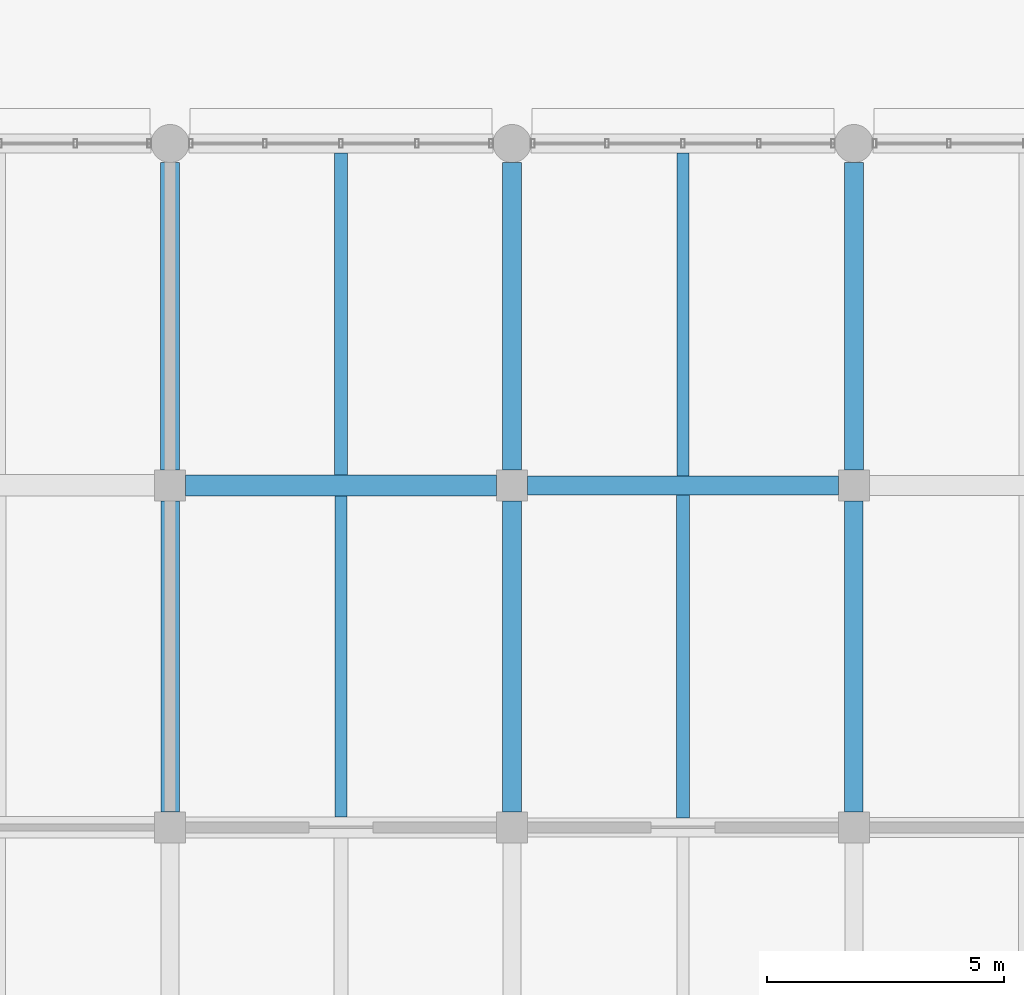
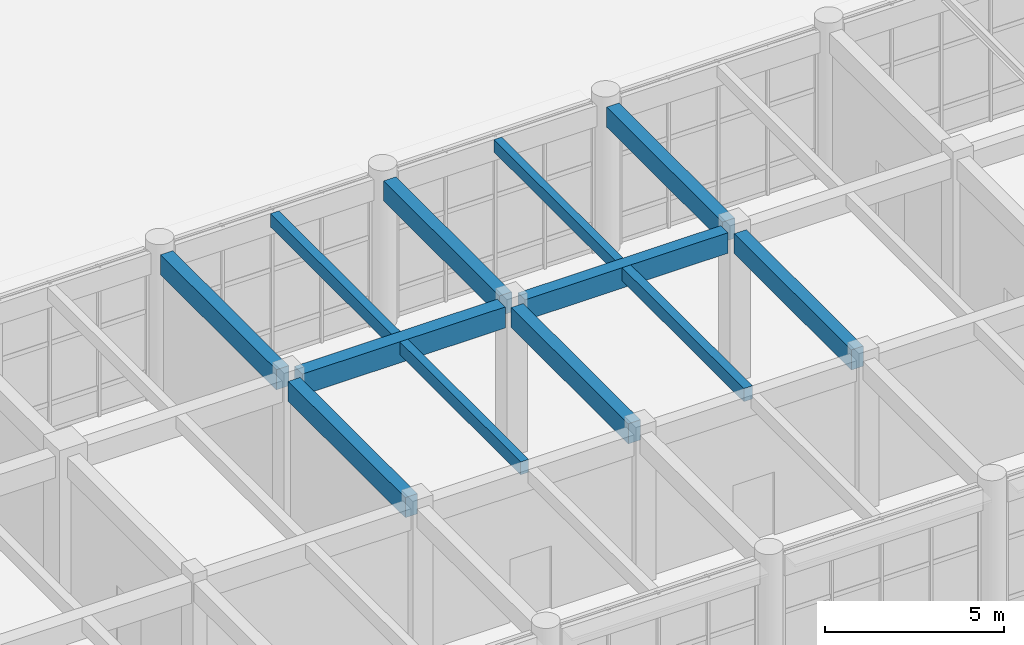
# One storey, part 49 of 160: 12 beams.
"""IFC4 building model written with IfcOpenShell, lengths in metres."""

from ifc_helpers import new_model, si_unit, direction, frame, origin, origin_2d, place, context, subcontext, project, spatial, rectangle, extrude, material, material_profile, profile_set, type_object, element, save


model = new_model("IFC4")

# Units and contexts
model_context = context("Model", 3, precision=1e-05, world=origin(), true_north=direction((0.0, 1.0)))
body_context = subcontext(model_context, "Body", "Model", "MODEL_VIEW")
ifc_project = project(units=[si_unit("LENGTHUNIT", "METRE"), si_unit("AREAUNIT", "SQUARE_METRE"), si_unit("VOLUMEUNIT", "CUBIC_METRE"), si_unit("PLANEANGLEUNIT", "RADIAN"), si_unit("MASSUNIT", "GRAM", prefix="KILO")], contexts=[model_context])

# Site, building, storey
site_placement = place(None, origin())
site = spatial("IfcSite", under=ifc_project, at=site_placement, CompositionType="ELEMENT")
building_placement = place(site_placement, origin())
building = spatial("IfcBuilding", under=site, at=building_placement, Name="Thalmaran Polytechnic", CompositionType="ELEMENT")
storey_placement = place(building_placement, origin())
storey = spatial("IfcBuildingStorey", under=building, at=storey_placement, Name="L00", CompositionType="ELEMENT", Elevation=0.0)

# Beams
ifc_material = material(Name="Concrete C40/50", Category="concrete")
ifc_material_profile_1 = material_profile(ifc_material, rectangle(XDim=0.39990234375, YDim=0.699951171875, at=origin_2d()), Name="RC 400x700")
ifc_profile_set_1 = profile_set([ifc_material_profile_1], Name="Concrete C40/50")
beam_type_1 = type_object("IfcBeamType", Name="BM-RC05", PredefinedType="BEAM", material=ifc_profile_set_1)
beam_1_placement = place(storey_placement, frame((36.324951171875, 64.800048828125, 4.739990234375), z_axis=(1.0, 0.0, 0.0), x_axis=(0.0, 1.0, 0.0)))
element("IfcBeam", 1, at=beam_1_placement, inside=storey, type_object=beam_type_1, Name="Grid Beam B05 L00 X(5,9)", PredefinedType="BEAM", context=body_context, shape_type="SweptSolid", body=[
    extrude(rectangle(XDim=0.39990234375, YDim=0.699951171875, at=origin_2d()), origin(), (0.0, 0.0, 1.0), 6.550048828125),
])
ifc_material_profile_2 = material_profile(ifc_material, rectangle(XDim=0.389892578125, YDim=0.68505859375, at=origin_2d()), Name="RC 390x685")
ifc_profile_set_2 = profile_set([ifc_material_profile_2], Name="Concrete C40/50")
beam_type_2 = type_object("IfcBeamType", Name="BM-RC08", PredefinedType="BEAM", material=ifc_profile_set_2)
for number, where, z_axis, x_axis, name in (
    (2, (28.800048828125, 57.925048828125, 4.74755859375), (0.0, 1.0, 0.0), (-1.0, 0.0, 0.0), "Grid Beam B08 L00 Y(4,8)"),
    (3, (36.0, 57.925048828125, 4.74755859375), (0.0, 1.0, 0.0), (-1.0, 0.0, 0.0), "Grid Beam B08 L00 Y(5,8)"),
    (4, (43.199951171875, 57.925048828125, 4.74755859375), (0.0, 1.0, 0.0), (-1.0, 0.0, 0.0), "Grid Beam B08 L00 Y(6,8)"),
):
    element("IfcBeam", number, at=place(storey_placement, frame(where, z_axis=z_axis, x_axis=x_axis)), inside=storey, type_object=beam_type_2, Name=name, PredefinedType="BEAM", context=body_context, shape_type="SweptSolid", body=[
        extrude(rectangle(XDim=0.389892578125, YDim=0.68505859375, at=origin_2d()), origin(), (0.0, 0.0, 1.0), 6.550048828125),
    ])
ifc_material_profile_3 = material_profile(ifc_material, rectangle(XDim=0.280029296875, YDim=0.449951171875, at=origin_2d()), Name="RC 280x450")
ifc_profile_set_3 = profile_set([ifc_material_profile_3], Name="Concrete C40/50")
beam_type_3 = type_object("IfcBeamType", Name="BM-RC13", PredefinedType="JOIST", material=ifc_profile_set_3)
beam_2_placement = place(storey_placement, frame((32.39990234375, 65.02001953125, 4.864990234375), z_axis=(0.0, 1.0, 0.0), x_axis=(-1.0, 0.0, 0.0)))
element("IfcBeam", 5, at=beam_2_placement, inside=storey, type_object=beam_type_3, Name="Secondary Floor Rib RB03 L00 (4,9)", PredefinedType="JOIST", context=body_context, shape_type="SweptSolid", body=[
    extrude(rectangle(XDim=0.280029296875, YDim=0.449951171875, at=origin_2d()), origin(), (0.0, 0.0, 1.0), 6.780029296875),
])
beam_3_placement = place(storey_placement, frame((39.60009765625, 57.800048828125, 4.864990234375), z_axis=(0.0, 1.0, 0.0), x_axis=(-1.0, 0.0, 0.0)))
element("IfcBeam", 6, at=beam_3_placement, inside=storey, type_object=beam_type_3, Name="Secondary Floor Rib RB03 L00 (5,8)", PredefinedType="JOIST", context=body_context, shape_type="SweptSolid", body=[
    extrude(rectangle(XDim=0.280029296875, YDim=0.449951171875, at=origin_2d()), origin(), (0.0, 0.0, 1.0), 6.800048828125),
])
ifc_material_profile_4 = material_profile(ifc_material, rectangle(XDim=0.43994140625, YDim=0.719970703125, at=origin_2d()), Name="RC 440x720")
ifc_profile_set_4 = profile_set([ifc_material_profile_4], Name="Concrete C40/50")
beam_type_4 = type_object("IfcBeamType", Name="BM-ZB03", PredefinedType="BEAM", material=ifc_profile_set_4)
beam_4_placement = place(storey_placement, frame((29.125, 64.800048828125, 4.72998046875), z_axis=(1.0, 0.0, 0.0), x_axis=(0.0, 1.0, 0.0)))
element("IfcBeam", 7, at=beam_4_placement, inside=storey, type_object=beam_type_4, Name="Grid Beam ZB03 L00 X(4,9)", PredefinedType="BEAM", context=body_context, shape_type="SweptSolid", body=[
    extrude(rectangle(XDim=0.43994140625, YDim=0.719970703125, at=origin_2d()), origin(), (0.0, 0.0, 1.0), 6.550048828125),
])
ifc_material_profile_5 = material_profile(ifc_material, rectangle(XDim=0.39990234375, YDim=0.68505859375, at=origin_2d()), Name="RC 400x685")
ifc_profile_set_5 = profile_set([ifc_material_profile_5], Name="Concrete C40/50")
beam_type_5 = type_object("IfcBeamType", Name="BM-ZB07", PredefinedType="BEAM", material=ifc_profile_set_5)
for number, where, z_axis, x_axis, name in (
    (8, (28.800048828125, 65.125, 4.74755859375), (0.0, 1.0, 0.0), (-1.0, 0.0, 0.0), "Grid Beam ZB07 L00 Y(4,9)"),
    (9, (36.0, 65.125, 4.74755859375), (0.0, 1.0, 0.0), (-1.0, 0.0, 0.0), "Grid Beam ZB07 L00 Y(5,9)"),
    (10, (43.199951171875, 65.125, 4.74755859375), (0.0, 1.0, 0.0), (-1.0, 0.0, 0.0), "Grid Beam ZB07 L00 Y(6,9)"),
):
    element("IfcBeam", number, at=place(storey_placement, frame(where, z_axis=z_axis, x_axis=x_axis)), inside=storey, type_object=beam_type_5, Name=name, PredefinedType="BEAM", context=body_context, shape_type="SweptSolid", body=[
        extrude(rectangle(XDim=0.39990234375, YDim=0.68505859375, at=origin_2d()), origin(), (0.0, 0.0, 1.0), 6.47509765625),
    ])
ifc_material_profile_6 = material_profile(ifc_material, rectangle(XDim=0.260009765625, YDim=0.43994140625, at=origin_2d()), Name="RC 260x440")
ifc_profile_set_6 = profile_set([ifc_material_profile_6], Name="Concrete C40/50")
beam_type_6 = type_object("IfcBeamType", Name="BM-ZJ02", PredefinedType="JOIST", material=ifc_profile_set_6)
beam_5_placement = place(storey_placement, frame((32.39990234375, 57.820068359375, 4.8701171875), z_axis=(0.0, 1.0, 0.0), x_axis=(-1.0, 0.0, 0.0)))
element("IfcBeam", 11, at=beam_5_placement, inside=storey, type_object=beam_type_6, Name="Secondary Floor Rib ZJ02 L00 (4,8)", PredefinedType="JOIST", context=body_context, shape_type="SweptSolid", body=[
    extrude(rectangle(XDim=0.260009765625, YDim=0.43994140625, at=origin_2d()), origin(), (0.0, 0.0, 1.0), 6.760009765625),
])
ifc_material_profile_7 = material_profile(ifc_material, rectangle(XDim=0.25, YDim=0.419921875, at=origin_2d()), Name="RC 250x420")
ifc_profile_set_7 = profile_set([ifc_material_profile_7], Name="Concrete C40/50")
beam_type_7 = type_object("IfcBeamType", Name="BM-ZJ03", PredefinedType="JOIST", material=ifc_profile_set_7)
beam_6_placement = place(storey_placement, frame((39.60009765625, 65.0, 4.8798828125), z_axis=(0.0, 1.0, 0.0), x_axis=(-1.0, 0.0, 0.0)))
element("IfcBeam", 12, at=beam_6_placement, inside=storey, type_object=beam_type_7, Name="Secondary Floor Rib ZJ03 L00 (5,9)", PredefinedType="JOIST", context=body_context, shape_type="SweptSolid", body=[
    extrude(rectangle(XDim=0.25, YDim=0.419921875, at=origin_2d()), origin(), (0.0, 0.0, 1.0), 6.800048828125),
])

save(model, "model.ifc")
